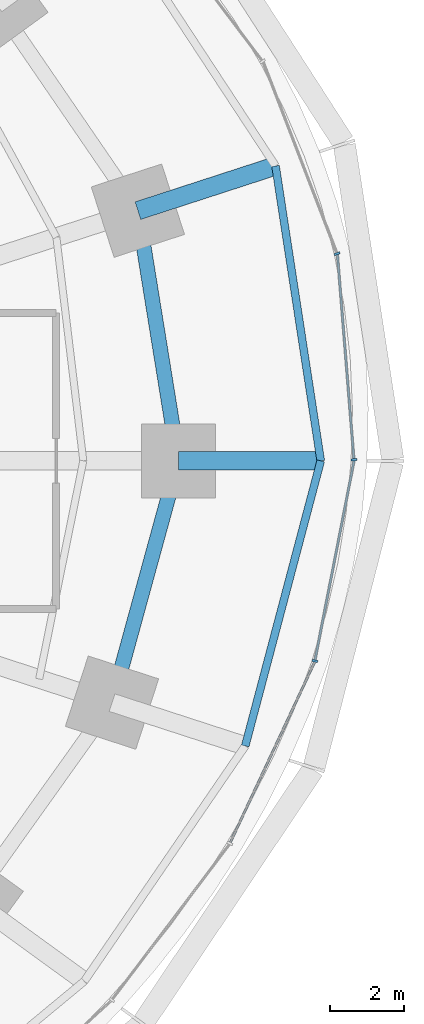
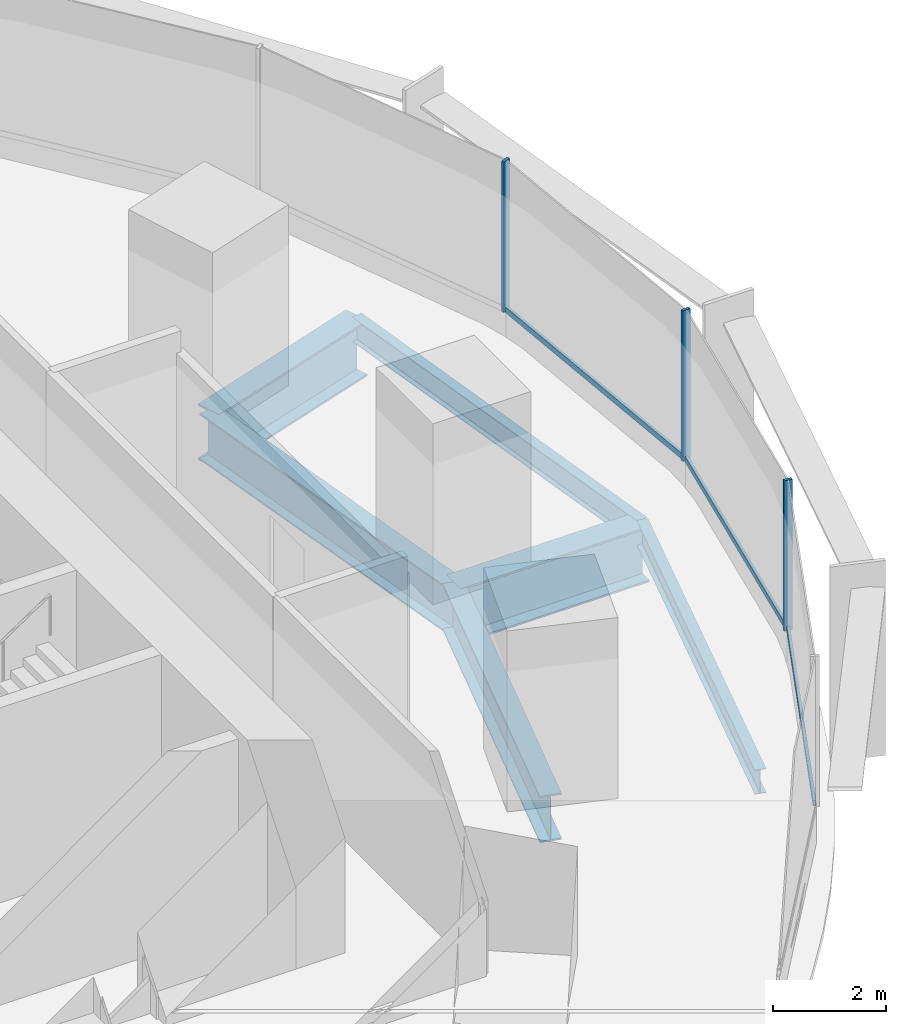
# One storey, part 6 of 15: 6 beams, 6 members, 2 elements without a shape of their own.
"""IFC4 building model written with IfcOpenShell, lengths in metres."""

from ifc_helpers import new_model, si_unit, direction, frame, origin, origin_2d, place, context, subcontext, project, spatial, rectangle, i_section, extrude, material, material_profile, profile_set, type_object, element, aggregate, save


model = new_model("IFC4")

# Units and contexts
model_context = context("Model", 3, precision=1e-05, world=origin(), true_north=direction((0.0, 1.0)))
body_context = subcontext(model_context, "Body", "Model", "MODEL_VIEW")
ifc_project = project(units=[si_unit("LENGTHUNIT", "METRE"), si_unit("AREAUNIT", "SQUARE_METRE"), si_unit("VOLUMEUNIT", "CUBIC_METRE"), si_unit("PLANEANGLEUNIT", "RADIAN"), si_unit("MASSUNIT", "GRAM", prefix="KILO")], contexts=[model_context])

# Site, building, storey
site_placement = place(None, origin())
site = spatial("IfcSite", under=ifc_project, at=site_placement, CompositionType="ELEMENT")
building_placement = place(site_placement, origin())
building = spatial("IfcBuilding", under=site, at=building_placement, Name="Marramba Exchange Tower", CompositionType="ELEMENT")
storey_placement = place(building_placement, frame((0.0, 0.0, 44.800048828125)))
storey = spatial("IfcBuildingStorey", under=building, at=storey_placement, Name="L10", CompositionType="ELEMENT", Elevation=44.800048828125)

# Beams
ifc_material_1 = material(Name="Steel AS/NZS 3679.2 grade 300", Category="steel")
ifc_material_profile_1 = material_profile(ifc_material_1, i_section(OverallWidth=0.5, OverallDepth=1.199951171875, WebThickness=0.01611328125, FlangeThickness=0.0400390625, at=origin_2d()), Name="1200WB455")
ifc_profile_set_1 = profile_set([ifc_material_profile_1], Name="Steel AS/NZS 3679.2 grade 300")
beam_type_1 = type_object("IfcBeamType", Name="Cantilever girder 1200WB455", PredefinedType="BEAM", material=ifc_profile_set_1)
beam_1_placement = place(storey_placement, frame((21.89990234375, 0.0, -0.760009765625), z_axis=(1.0, 0.0, 0.0), x_axis=(0.0, 1.0, 0.0)))
element("IfcBeam", 1, at=beam_1_placement, inside=storey, type_object=beam_type_1, Name="Cantilever girder L10 TC01", PredefinedType="BEAM", context=body_context, shape_type="SweptSolid", body=[
    extrude(i_section(OverallWidth=0.5, OverallDepth=1.199951171875, WebThickness=0.01611328125, FlangeThickness=0.0400390625, at=origin_2d()), origin(), (0.0, 0.0, 1.0), 3.85009765625),
])
beam_2_placement = place(storey_placement, frame((20.808349609375, 6.760986328125, -0.760009765625), z_axis=(0.951058833549, 0.309009862508, 0.0), x_axis=(-0.309009862508, 0.951058833549, 0.0)))
element("IfcBeam", 2, at=beam_2_placement, inside=storey, type_object=beam_type_1, Name="Cantilever girder L10 TC02", PredefinedType="BEAM", context=body_context, shape_type="SweptSolid", body=[
    extrude(i_section(OverallWidth=0.5, OverallDepth=1.199951171875, WebThickness=0.01611328125, FlangeThickness=0.0400390625, at=origin_2d()), origin(), (0.0, 0.0, 1.0), 3.91162109375),
])
ifc_material_profile_2 = material_profile(ifc_material_1, i_section(OverallWidth=0.39990234375, OverallDepth=1.0, WebThickness=0.01611328125, FlangeThickness=0.031982421875, at=origin_2d()), Name="1000WB322")
ifc_profile_set_2 = profile_set([ifc_material_profile_2], Name="Steel AS/NZS 3679.2 grade 300")
beam_type_2 = type_object("IfcBeamType", Name="Ring beam 1000WB322", PredefinedType="SPANDREL", material=ifc_profile_set_2)
beam_3_placement = place(storey_placement, frame((21.89990234375, 0.0, -0.66015625), z_axis=(-0.159384865399, 0.987216523708, 0.0), x_axis=(-0.987216523708, -0.159384865399, 0.0)))
element("IfcBeam", 3, at=beam_3_placement, inside=storey, type_object=beam_type_2, Name="Ring beam L10 TC01-TC02", PredefinedType="SPANDREL", context=body_context, shape_type="SweptSolid", body=[
    extrude(i_section(OverallWidth=0.39990234375, OverallDepth=1.0, WebThickness=0.01611328125, FlangeThickness=0.031982421875, at=origin_2d()), origin(), (0.0, 0.0, 1.0), 6.8486328125),
])
beam_4_placement = place(storey_placement, frame((20.109375, -6.533935546875, -0.66015625), z_axis=(0.264291166956, 0.964442937176, 0.0), x_axis=(-0.964442937176, 0.264291166956, 0.0)))
element("IfcBeam", 4, at=beam_4_placement, inside=storey, type_object=beam_type_2, Name="Ring beam L10 TC20-TC01", PredefinedType="SPANDREL", context=body_context, shape_type="SweptSolid", body=[
    extrude(i_section(OverallWidth=0.39990234375, OverallDepth=1.0, WebThickness=0.01611328125, FlangeThickness=0.031982421875, at=origin_2d()), origin(), (0.0, 0.0, 1.0), 6.77490234375),
])
ifc_material_2 = material(Name="Steel AS/NZS 3679.1 grade 300", Category="steel")
ifc_material_profile_3 = material_profile(ifc_material_2, i_section(OverallWidth=0.208984375, OverallDepth=0.528076171875, WebThickness=0.009521484375, FlangeThickness=0.01318359375, FilletRadius=0.013916015625, at=origin_2d()), Name="530UB82.0")
ifc_profile_set_3 = profile_set([ifc_material_profile_3], Name="Steel AS/NZS 3679.1 grade 300")
beam_type_3 = type_object("IfcBeamType", Name="Slab edge beam 530UB82.0", PredefinedType="SPANDREL", material=ifc_profile_set_3)
beam_5_placement = place(storey_placement, frame((25.75, 0.0, -0.424072265625), z_axis=(-0.151490591645, 0.988458699513, 0.0), x_axis=(-0.988458699513, -0.151490591645, 0.0)))
element("IfcBeam", 5, at=beam_5_placement, inside=storey, type_object=beam_type_3, Name="Slab edge beam L10 TC01-TC02", PredefinedType="SPANDREL", context=body_context, shape_type="SweptSolid", body=[
    extrude(i_section(OverallWidth=0.208984375, OverallDepth=0.528076171875, WebThickness=0.009521484375, FlangeThickness=0.01318359375, FilletRadius=0.013916015625, at=origin_2d()), origin(), (0.0, 0.0, 1.0), 8.062744140625),
])
beam_6_placement = place(storey_placement, frame((23.709716796875, -7.703857421875, -0.424072265625), z_axis=(0.25601296674, 0.966673347549, 0.0), x_axis=(-0.966673347549, 0.25601296674, 0.0)))
element("IfcBeam", 6, at=beam_6_placement, inside=storey, type_object=beam_type_3, Name="Slab edge beam L10 TC20-TC01", PredefinedType="SPANDREL", context=body_context, shape_type="SweptSolid", body=[
    extrude(i_section(OverallWidth=0.208984375, OverallDepth=0.528076171875, WebThickness=0.009521484375, FlangeThickness=0.01318359375, FilletRadius=0.013916015625, at=origin_2d()), origin(), (0.0, 0.0, 1.0), 7.969482421875),
])

# Curtain wall, members
ifc_material_3 = material(Name="Aluminium framing, bronze anodised", Category="aluminium")
curtain_wall_type = type_object("IfcCurtainWallType", Name="Trading floor ribbon curtain wall", PredefinedType="USERDEFINED", material=ifc_material_3)
curtain_wall_1_placement = place(storey_placement, origin())
curtain_wall_1 = element("IfcCurtainWall", 7, at=curtain_wall_1_placement, inside=storey, type_object=curtain_wall_type, Name="Curtain wall CW3 L10 F01-F05", ObjectType="RIBBON CURTAIN WALL", PredefinedType="USERDEFINED")
ifc_material_4 = material(Name="Aluminium mullion, bronze anodised", Category="aluminium")
ifc_material_profile_4 = material_profile(ifc_material_4, rectangle(XDim=0.159912109375, YDim=0.06005859375, at=origin_2d()), Name="CW3 mullion 60x160")
ifc_profile_set_4 = profile_set([ifc_material_profile_4], Name="Aluminium mullion, bronze anodised")
member_type_1 = type_object("IfcMemberType", Name="Trading floor ribbon curtain wall mullion", PredefinedType="MULLION", material=ifc_profile_set_4)
member_1_placement = place(storey_placement, frame((26.647705078125, 0.02978515625, 0.800048828125), z_axis=(0.0, 0.0, 1.0), x_axis=(-0.996772736434, -0.080275225953, 0.0)))
member_1 = element("IfcMember", 8, at=member_1_placement, type_object=member_type_1, Name="CW3 mullion 1", PredefinedType="MULLION", context=body_context, shape_type="SweptSolid", body=[
    extrude(rectangle(XDim=0.159912109375, YDim=0.06005859375, at=origin_2d()), origin(), (0.0, 0.0, 1.0), 3.239990234375),
])
member_2_placement = place(storey_placement, frame((26.190673828125, 5.597412109375, 0.800048828125), z_axis=(0.0, 0.0, 1.0), x_axis=(-0.933135256626, -0.359525510698, 0.0)))
member_2 = element("IfcMember", 9, at=member_2_placement, type_object=member_type_1, Name="CW3 mullion 1", PredefinedType="MULLION", context=body_context, shape_type="SweptSolid", body=[
    extrude(rectangle(XDim=0.159912109375, YDim=0.06005859375, at=origin_2d()), origin(), (0.0, 0.0, 1.0), 3.239990234375),
])

# Curtain wall, member
curtain_wall_2_placement = place(storey_placement, origin())
curtain_wall_2 = element("IfcCurtainWall", 10, at=curtain_wall_2_placement, inside=storey, type_object=curtain_wall_type, Name="Curtain wall CW3 L10 F26-F30", ObjectType="RIBBON CURTAIN WALL", PredefinedType="USERDEFINED")
member_3_placement = place(storey_placement, frame((25.59033203125, -5.40869140625, 0.800048828125), z_axis=(0.0, 0.0, 1.0), x_axis=(-0.981346261612, 0.1922485756, 0.0)))
member_3 = element("IfcMember", 11, at=member_3_placement, type_object=member_type_1, Name="CW3 mullion 1", PredefinedType="MULLION", context=body_context, shape_type="SweptSolid", body=[
    extrude(rectangle(XDim=0.159912109375, YDim=0.06005859375, at=origin_2d()), origin(), (0.0, 0.0, 1.0), 3.239990234375),
])

# Member
ifc_material_5 = material(Name="Aluminium transom, bronze anodised", Category="aluminium")
ifc_material_profile_5 = material_profile(ifc_material_5, rectangle(XDim=0.06005859375, YDim=0.1201171875, at=origin_2d()), Name="CW3 transom 60x120")
ifc_profile_set_5 = profile_set([ifc_material_profile_5], Name="Aluminium transom, bronze anodised")
member_type_2 = type_object("IfcMemberType", Name="Trading floor ribbon curtain wall transom", PredefinedType="USERDEFINED", material=ifc_profile_set_5)
member_4_placement = place(storey_placement, frame((26.645263671875, 0.059814453125, 0.829833984375), z_axis=(-0.080299960686, 0.99677074411, 0.0), x_axis=(-0.99677074411, -0.080299960686, 0.0)))
member_4 = element("IfcMember", 12, at=member_4_placement, type_object=member_type_2, Name="CW3 sill transom", ObjectType="TRANSOM", PredefinedType="USERDEFINED", context=body_context, shape_type="SweptSolid", body=[
    extrude(rectangle(XDim=0.06005859375, YDim=0.1201171875, at=origin_2d()), origin(), (0.0, 0.0, 1.0), 5.52734375),
])

aggregate(curtain_wall_1, [member_1, member_4, member_2])

member_5_placement = place(storey_placement, frame((23.306640625, -10.31103515625, 0.829833984375), z_axis=(0.423511514213, 0.905890720412, 0.0), x_axis=(-0.905890720412, 0.423511514213, 0.0)))
member_5 = element("IfcMember", 13, at=member_5_placement, type_object=member_type_2, Name="CW3 sill transom", ObjectType="TRANSOM", PredefinedType="USERDEFINED", context=body_context, shape_type="SweptSolid", body=[
    extrude(rectangle(XDim=0.06005859375, YDim=0.1201171875, at=origin_2d()), origin(), (0.0, 0.0, 1.0), 5.37890625),
])

member_6_placement = place(storey_placement, frame((25.59619140625, -5.37939453125, 0.829833984375), z_axis=(0.192226081646, 0.981350667975, 0.0), x_axis=(-0.981350667975, 0.192226081646, 0.0)))
member_6 = element("IfcMember", 14, at=member_6_placement, type_object=member_type_2, Name="CW3 sill transom", ObjectType="TRANSOM", PredefinedType="USERDEFINED", context=body_context, shape_type="SweptSolid", body=[
    extrude(rectangle(XDim=0.06005859375, YDim=0.1201171875, at=origin_2d()), origin(), (0.0, 0.0, 1.0), 5.481689453125),
])

aggregate(curtain_wall_2, [member_5, member_3, member_6])

save(model, "model.ifc")
